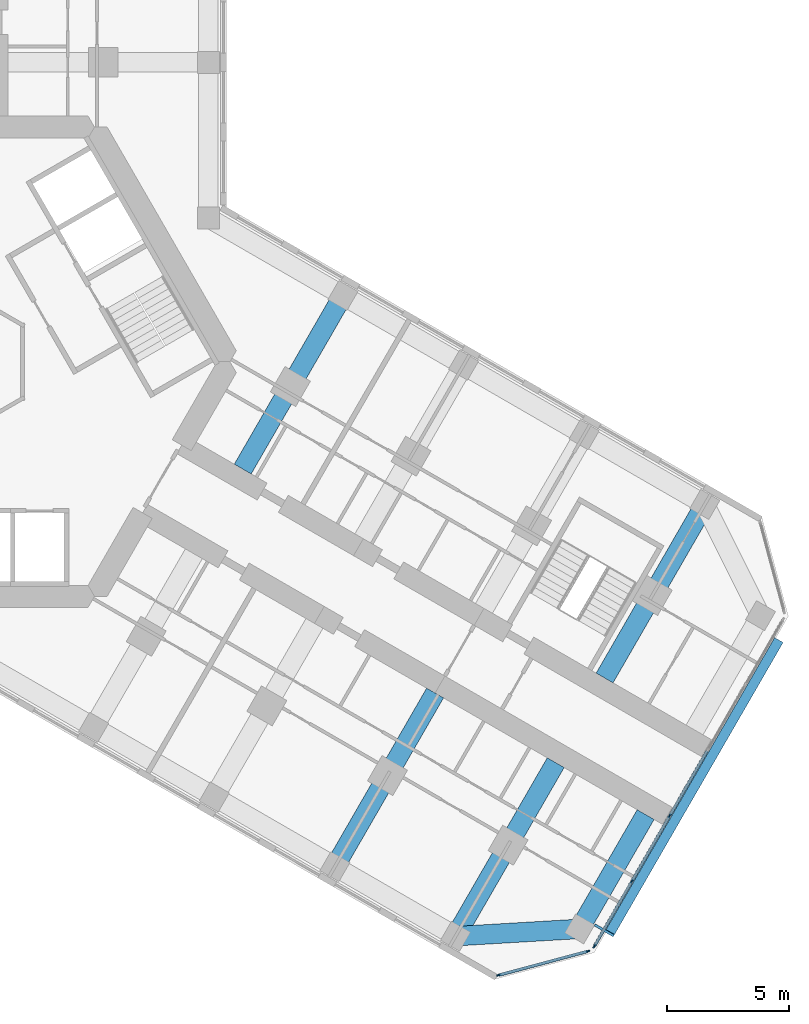
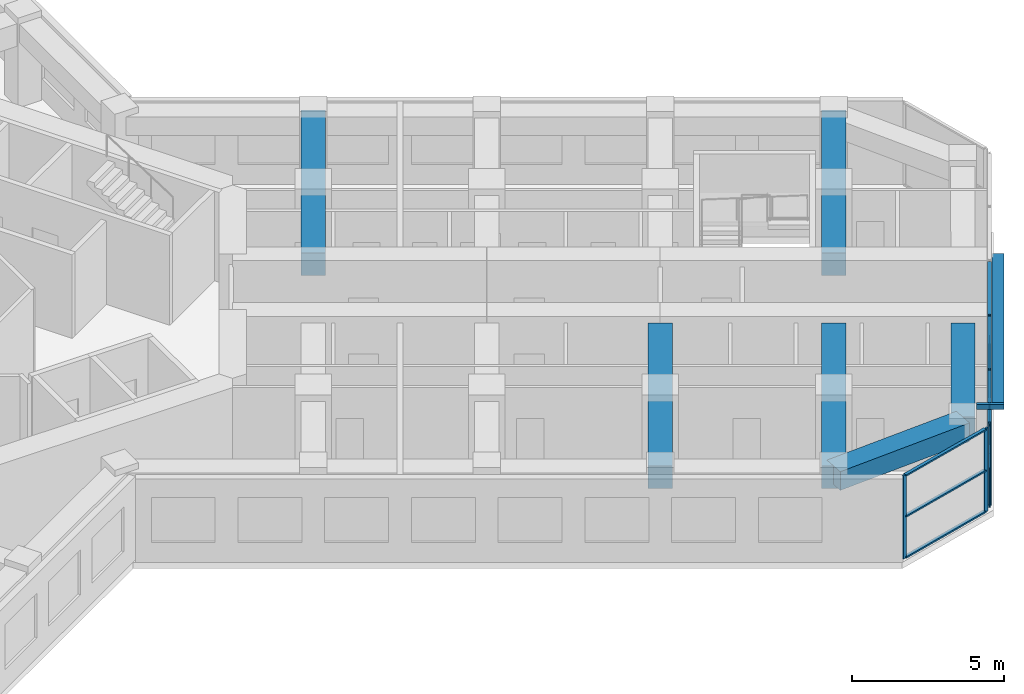
# One storey, part 5 of 19: 16 members, 6 beams, 2 elements without a shape of their own.
"""IFC4 building model written with IfcOpenShell, lengths in metres."""

import ifcopenshell
import ifcopenshell.guid

model = None  # the IFC model being written
_history = None  # IfcOwnerHistory: only IFC2X3 demands one
_inside = {}  # id of a spatial element -> (the spatial element, [elements in it])
_under = {}  # id of a project, library or spatial element -> (it, [spatial elements below it])
_declared = {}  # id of a project -> (the project, [libraries it declares])
_typed = {}  # id of a type object -> (the type object, [elements of that type])
_made_of = {}  # id of a material, layer set ... -> (it, [elements and type objects made of it])


def new_model(schema):
    """Start an empty IFC model of exactly this schema.

    Asked for "IFC4X3", IfcOpenShell would pick the latest addendum, in which some entities
    have other attributes; the version numbers below select the first issue.
    IFC2X3 requires an IfcOwnerHistory on every rooted entity: one is made here for all.
    """
    global model, _history
    if schema == "IFC4X3":
        model = ifcopenshell.file(schema_version=(4, 3, 0, 0))
    else:
        model = ifcopenshell.file(schema=schema)
    _inside.clear()
    _under.clear()
    _declared.clear()
    _typed.clear()
    _made_of.clear()
    _history = None
    if model.schema == "IFC2X3":
        org = make("IfcOrganization", Name="unknown")
        user = make(
            "IfcPersonAndOrganization",
            ThePerson=make("IfcPerson", FamilyName="unknown"),
            TheOrganization=org,
        )
        app = make(
            "IfcApplication",
            ApplicationDeveloper=org,
            Version="unknown",
            ApplicationFullName="unknown",
            ApplicationIdentifier="unknown",
        )
        _history = make(
            "IfcOwnerHistory",
            OwningUser=user,
            OwningApplication=app,
            ChangeAction="ADDED",
            CreationDate=0,
        )
    return model


def make(cls, **values):
    """One entity of the class cls with the attributes given. An attribute that is None is left unset."""
    return model.create_entity(
        cls, **{name: value for name, value in values.items() if value is not None}
    )


def rooted(cls, **values):
    """An entity with a GlobalId (a new one), such as an element, a storey or a relation."""
    return make(cls, GlobalId=ifcopenshell.guid.new(), OwnerHistory=_history, **values)


def si_unit(unit_type, name, prefix=None):
    """IfcSIUnit, for example si_unit("LENGTHUNIT", "METRE", prefix="MILLI")."""
    return make("IfcSIUnit", UnitType=unit_type, Prefix=prefix, Name=name)


def assignment(units):
    """IfcUnitAssignment: the units of a project."""
    return None if units is None else make("IfcUnitAssignment", Units=units)


def point(xyz):
    """IfcCartesianPoint."""
    return None if xyz is None else make("IfcCartesianPoint", Coordinates=xyz)


def direction(xyz):
    """IfcDirection."""
    return None if xyz is None else make("IfcDirection", DirectionRatios=xyz)


def frame(location, z_axis=None, x_axis=None):
    """IfcAxis2Placement3D, a coordinate frame: its origin and axes. An axis left out is left unset."""
    return make(
        "IfcAxis2Placement3D",
        Location=point(location),
        Axis=direction(z_axis),
        RefDirection=direction(x_axis),
    )


def frame_2d(location, x_axis=None):
    """IfcAxis2Placement2D, a coordinate frame in the plane: its origin and x axis."""
    return make(
        "IfcAxis2Placement2D", Location=point(location), RefDirection=direction(x_axis)
    )


def origin():
    """The frame at (0, 0, 0) with its axes left unset."""
    return frame((0.0, 0.0, 0.0))


def origin_2d():
    """The frame at (0, 0) in the plane with its x axis left unset."""
    return frame_2d((0.0, 0.0))


def place(relative_to, where):
    """IfcLocalPlacement: puts the frame where relative to a parent placement (None: the world)."""
    return make(
        "IfcLocalPlacement", PlacementRelTo=relative_to, RelativePlacement=where
    )


def context(
    kind, dimensions, precision=None, world=None, true_north=None, identifier=None
):
    """IfcGeometricRepresentationContext, for example the 3D "Model" context."""
    return make(
        "IfcGeometricRepresentationContext",
        ContextIdentifier=identifier,
        ContextType=kind,
        CoordinateSpaceDimension=dimensions,
        Precision=precision,
        WorldCoordinateSystem=world,
        TrueNorth=true_north,
    )


def subcontext(parent, identifier, kind, view, scale=None):
    """IfcGeometricRepresentationSubContext, for example "Body" below "Model"."""
    return make(
        "IfcGeometricRepresentationSubContext",
        ContextIdentifier=identifier,
        ContextType=kind,
        ParentContext=parent,
        TargetScale=scale,
        TargetView=view,
    )


def project(units=None, contexts=None):
    """IfcProject with its units and contexts."""
    return rooted(
        "IfcProject",
        Name="project",
        RepresentationContexts=contexts,
        UnitsInContext=assignment(units),
    )


def spatial(cls, under=None, at=None, **own):
    """A site, building, storey or space (cls), placed at a placement, below another one or the project."""
    s = rooted(cls, ObjectPlacement=at, **own)
    if under is not None:
        _under.setdefault(under.id(), (under, []))[1].append(s)
    return s


def profile(cls, at=None, kind="AREA", **sizes):
    """A parametric profile (cls). Its sizes go by their IFC names, for example OverallWidth=200.0."""
    return make(cls, ProfileType=kind, Position=at, **sizes)


def rectangle(**sizes):
    """IfcRectangleProfileDef."""
    return profile("IfcRectangleProfileDef", **sizes)


def hollow_rectangle(**sizes):
    """IfcRectangleHollowProfileDef."""
    return profile("IfcRectangleHollowProfileDef", **sizes)


def extrude(swept, where, along, depth):
    """IfcExtrudedAreaSolid: the profile swept, set in the frame where, extruded along a direction by depth."""
    return make(
        "IfcExtrudedAreaSolid",
        SweptArea=swept,
        Position=where,
        ExtrudedDirection=direction(along),
        Depth=depth,
    )


def shape(context_of_items, identifier, shape_type, items):
    """IfcShapeRepresentation: the items that make up one representation, for example the "Body"."""
    return make(
        "IfcShapeRepresentation",
        ContextOfItems=context_of_items,
        RepresentationIdentifier=identifier,
        RepresentationType=shape_type,
        Items=items,
    )


def material(Name=None, Category=None):
    """IfcMaterial."""
    return make("IfcMaterial", Name=Name, Category=Category)


def material_profile(
    of_material, cross_section, Name=None, Category=None, Priority=None
):
    """IfcMaterialProfile: a cross section and its material."""
    return make(
        "IfcMaterialProfile",
        Name=Name,
        Material=of_material,
        Profile=cross_section,
        Priority=Priority,
        Category=Category,
    )


def profile_set(profiles, Name=None, composite=None):
    """IfcMaterialProfileSet."""
    return make(
        "IfcMaterialProfileSet",
        Name=Name,
        MaterialProfiles=profiles,
        CompositeProfile=composite,
    )


def made_of(thing, what):
    """Note that an element or type object is made of a material, layer set ...; save() writes the relation."""
    if what is not None:
        _made_of.setdefault(what.id(), (what, []))[1].append(thing)
    return thing


def type_object(cls, material=None, **own):
    """A type object (cls), such as IfcWallType, which elements share."""
    return made_of(rooted(cls, **own), material)


def element(
    cls,
    number,
    at=None,
    inside=None,
    cuts=None,
    type_object=None,
    material=None,
    context=None,
    identifier="Body",
    shape_type=None,
    held_by="IfcProductDefinitionShape",
    body=None,
    shapes=None,
    **own,
):
    """One element of the class cls, such as IfcWall. Its Tag is "e" and its number.

    at: its placement. inside: the storey or other place that contains it. cuts: it is an
    opening in that element (IfcRelVoidsElement). A single representation is given by context,
    identifier, shape_type and body (its items); several are given by shapes. held_by: the class
    of the entity that holds the representations. save() writes the other relations.
    """
    e = rooted(cls, Tag="e%d" % number, ObjectPlacement=at, **own)
    if body is not None:
        shapes = [shape(context, identifier, shape_type, body)]
    if shapes is not None:
        e.Representation = make(held_by, Representations=shapes)
    if inside is not None:
        _inside.setdefault(inside.id(), (inside, []))[1].append(e)
    if cuts is not None:
        rooted(
            "IfcRelVoidsElement", RelatingBuildingElement=cuts, RelatedOpeningElement=e
        )
    if type_object is not None:
        _typed.setdefault(type_object.id(), (type_object, []))[1].append(e)
    return made_of(e, material)


def aggregate(whole, parts):
    """IfcRelAggregates: a whole, such as a stair, and the parts it consists of."""
    return rooted("IfcRelAggregates", RelatingObject=whole, RelatedObjects=parts)


def save(model, path):
    """Write the relations noted so far, then the file.

    IfcRelAggregates (storeys below a building ...), IfcRelContainedInSpatialStructure (elements
    in a storey), IfcRelDefinesByType, IfcRelAssociatesMaterial and IfcRelDeclares: one each for
    every whole, place, type object, material and project.
    """
    for whole, parts in _under.values():
        aggregate(whole, parts)
    for where, things in _inside.values():
        rooted(
            "IfcRelContainedInSpatialStructure",
            RelatedElements=things,
            RelatingStructure=where,
        )
    for kind, things in _typed.values():
        rooted("IfcRelDefinesByType", RelatedObjects=things, RelatingType=kind)
    for what, things in _made_of.values():
        rooted("IfcRelAssociatesMaterial", RelatedObjects=things, RelatingMaterial=what)
    for by, libraries in _declared.values():
        rooted("IfcRelDeclares", RelatingContext=by, RelatedDefinitions=libraries)
    model.write(path)


model = new_model("IFC4")

# Units and contexts
model_context = context("Model", 3, precision=1e-05, world=origin(), true_north=direction((0.0, 1.0)))
body_context = subcontext(model_context, "Body", "Model", "MODEL_VIEW")
ifc_project = project(units=[si_unit("LENGTHUNIT", "METRE"), si_unit("AREAUNIT", "SQUARE_METRE"), si_unit("VOLUMEUNIT", "CUBIC_METRE"), si_unit("PLANEANGLEUNIT", "RADIAN"), si_unit("MASSUNIT", "GRAM", prefix="KILO")], contexts=[model_context])

# Site, building, storey
site_placement = place(None, origin())
site = spatial("IfcSite", under=ifc_project, at=site_placement, CompositionType="ELEMENT")
building_placement = place(site_placement, origin())
building = spatial("IfcBuilding", under=site, at=building_placement, Name="Kosmar Iwan School Tower", CompositionType="ELEMENT")
storey_placement = place(building_placement, frame((0.0, 0.0, 141.800048828125)))
storey = spatial("IfcBuildingStorey", under=building, at=storey_placement, Name="L35", CompositionType="ELEMENT", Elevation=141.800048828125)

# Members
ifc_material_1 = material(Name="Black anodised aluminium", Category="aluminium")
ifc_material_profile_1 = material_profile(ifc_material_1, rectangle(XDim=0.10009765625, YDim=0.39990234375, at=origin_2d()), Name="FIN 100x400")
ifc_profile_set_1 = profile_set([ifc_material_profile_1], Name="Black anodised aluminium")
member_type_1 = type_object("IfcMemberType", Name="Diagonal fin 100x400", PredefinedType="USERDEFINED", material=ifc_profile_set_1)
member_1_placement = place(storey_placement, frame((33.54345703125, -11.40087890625, -0.150146484375), z_axis=(-0.483793446988, -0.837970316603, 0.25248692866), x_axis=(0.126241714543, 0.218661104574, 0.96760030532)))
element("IfcMember", 1, at=member_1_placement, inside=storey, type_object=member_type_1, Name="Diagonal fin L35-F03", ObjectType="FIN", PredefinedType="USERDEFINED", context=body_context, shape_type="SweptSolid", body=[
    extrude(rectangle(XDim=0.10009765625, YDim=0.39990234375, at=origin_2d()), origin(), (0.0, 0.0, 1.0), 14.258544921875),
])
ifc_material_2 = material(Name="Steel S355", Category="steel")
ifc_material_profile_2 = material_profile(ifc_material_2, hollow_rectangle(XDim=0.10009765625, YDim=0.199951171875, WallThickness=0.008056640625, at=origin_2d()), Name="RHS 200x100x8")
ifc_profile_set_2 = profile_set([ifc_material_profile_2], Name="Steel S355")
member_type_2 = type_object("IfcMemberType", Name="Fin bracket RHS 200x100", PredefinedType="USERDEFINED", material=ifc_profile_set_2)
member_2_placement = place(storey_placement, frame((26.01318359375, -23.0439453125, 3.474853515625), z_axis=(0.866013897511, -0.50001992892, 0.0), x_axis=(0.50001992892, 0.866013897511, 0.0)))
element("IfcMember", 2, at=member_2_placement, inside=storey, type_object=member_type_2, Name="Fin bracket L36", ObjectType="FIN BRACKET", PredefinedType="USERDEFINED", context=body_context, shape_type="SweptSolid", body=[
    extrude(hollow_rectangle(XDim=0.10009765625, YDim=0.199951171875, WallThickness=0.008056640625, at=origin_2d()), origin(), (0.0, 0.0, 1.0), 0.89990234375),
])

# Curtain wall, members
ifc_material_3 = material(Name="Dark glass in black aluminium frame", Category="aluminium")
curtain_wall_type_1 = type_object("IfcCurtainWallType", Name="Chamfer curtain wall dark glass", PredefinedType="USERDEFINED", material=ifc_material_3)
curtain_wall_1_placement = place(storey_placement, origin())
curtain_wall_1 = element("IfcCurtainWall", 3, at=curtain_wall_1_placement, inside=storey, type_object=curtain_wall_type_1, Name="Curtain wall L35-F02", ObjectType="FACETED CURTAIN WALL", PredefinedType="USERDEFINED")
ifc_material_4 = material(Name="Black anodised aluminium", Category="aluminium")
ifc_material_profile_3 = material_profile(ifc_material_4, rectangle(XDim=0.06005859375, YDim=0.159912109375, at=origin_2d()), Name="MULLION 60x160")
ifc_profile_set_3 = profile_set([ifc_material_profile_3], Name="Black anodised aluminium")
member_type_3 = type_object("IfcMemberType", Name="Mullion 60x160", PredefinedType="MULLION", material=ifc_profile_set_3)
member_3_placement = place(storey_placement, frame((22.0830078125, -25.102294921875, 0.0), z_axis=(0.0, 0.0, 1.0), x_axis=(-0.258818861462, 0.965925875495, 0.0)))
member_3 = element("IfcMember", 4, at=member_3_placement, type_object=member_type_3, Name="CW2 mullion 1", PredefinedType="MULLION", context=body_context, shape_type="SweptSolid", body=[
    extrude(rectangle(XDim=0.06005859375, YDim=0.159912109375, at=origin_2d()), origin(), (0.0, 0.0, 1.0), 3.349853515625),
])
member_4_placement = place(storey_placement, frame((25.733154296875, -24.124267578125, 0.0), z_axis=(0.0, 0.0, 1.0), x_axis=(-0.258818861462, 0.965925875495, 0.0)))
member_4 = element("IfcMember", 5, at=member_4_placement, type_object=member_type_3, Name="CW2 mullion 2", PredefinedType="MULLION", context=body_context, shape_type="SweptSolid", body=[
    extrude(rectangle(XDim=0.06005859375, YDim=0.159912109375, at=origin_2d()), origin(), (0.0, 0.0, 1.0), 3.349853515625),
])

ifc_material_5 = material(Name="Dark glass in black aluminium frame", Category="aluminium")
curtain_wall_type_2 = type_object("IfcCurtainWallType", Name="Tower curtain wall dark glass", PredefinedType="USERDEFINED", material=ifc_material_5)
curtain_wall_2_placement = place(storey_placement, origin())
curtain_wall_2 = element("IfcCurtainWall", 6, at=curtain_wall_2_placement, inside=storey, type_object=curtain_wall_type_2, Name="Curtain wall L35-F03", ObjectType="UNITISED CURTAIN WALL", PredefinedType="USERDEFINED")
member_5_placement = place(storey_placement, frame((25.9970703125, -23.921630859375, 0.0), z_axis=(0.0, 0.0, 1.0), x_axis=(-0.866025405329, 0.499999997325, 0.0)))
member_5 = element("IfcMember", 7, at=member_5_placement, type_object=member_type_3, Name="CW1 mullion 1", PredefinedType="MULLION", context=body_context, shape_type="SweptSolid", body=[
    extrude(rectangle(XDim=0.06005859375, YDim=0.159912109375, at=origin_2d()), origin(), (0.0, 0.0, 1.0), 3.349853515625),
])
member_6_placement = place(storey_placement, frame((27.53173828125, -21.263671875, 0.0), z_axis=(0.0, 0.0, 1.0), x_axis=(-0.866025405329, 0.499999997325, 0.0)))
member_6 = element("IfcMember", 8, at=member_6_placement, type_object=member_type_3, Name="CW1 mullion 2", PredefinedType="MULLION", context=body_context, shape_type="SweptSolid", body=[
    extrude(rectangle(XDim=0.06005859375, YDim=0.159912109375, at=origin_2d()), origin(), (0.0, 0.0, 1.0), 3.349853515625),
])
member_7_placement = place(storey_placement, frame((29.081298828125, -18.57958984375, 0.0), z_axis=(0.0, 0.0, 1.0), x_axis=(-0.866025405329, 0.499999997325, 0.0)))
member_7 = element("IfcMember", 9, at=member_7_placement, type_object=member_type_3, Name="CW1 mullion 3", PredefinedType="MULLION", context=body_context, shape_type="SweptSolid", body=[
    extrude(rectangle(XDim=0.06005859375, YDim=0.159912109375, at=origin_2d()), origin(), (0.0, 0.0, 1.0), 3.349853515625),
])

# Beams
ifc_material_6 = material(Name="Concrete C50/60", Category="concrete")
ifc_material_profile_4 = material_profile(ifc_material_6, rectangle(XDim=0.800048828125, YDim=0.75, at=origin_2d()), Name="RC 800x750")
ifc_profile_set_4 = profile_set([ifc_material_profile_4], Name="Concrete C50/60")
beam_type_1 = type_object("IfcBeamType", Name="RC tip beam 800x750", PredefinedType="BEAM", material=ifc_profile_set_4)
beam_1_placement = place(storey_placement, frame((20.31787109375, -23.508544921875, 2.974853515625), z_axis=(0.998260616478, 0.058955420358, 0.0), x_axis=(-0.058955420358, 0.998260616478, 0.0)))
element("IfcBeam", 10, at=beam_1_placement, inside=storey, type_object=beam_type_1, Name="Tip beam CR", PredefinedType="BEAM", context=body_context, shape_type="SweptSolid", body=[
    extrude(rectangle(XDim=0.800048828125, YDim=0.75, at=origin_2d()), origin(), (0.0, 0.0, 1.0), 5.08935546875),
])
beam_2_placement = place(storey_placement, frame((25.3984375, -23.20849609375, 2.974853515625), z_axis=(0.499995103361, 0.866028230842, 0.0), x_axis=(-0.866028230842, 0.499995103361, 0.0)))
element("IfcBeam", 11, at=beam_2_placement, inside=storey, type_object=beam_type_1, Name="Tip beam CR to corridor wall", PredefinedType="BEAM", context=body_context, shape_type="SweptSolid", body=[
    extrude(rectangle(XDim=0.800048828125, YDim=0.75, at=origin_2d()), origin(), (0.0, 0.0, 1.0), 5.39990234375),
])
ifc_material_7 = material(Name="Concrete C50/60", Category="concrete")
ifc_material_profile_5 = material_profile(ifc_material_7, rectangle(XDim=0.800048828125, YDim=0.89990234375, at=origin_2d()), Name="RC 800x900")
ifc_profile_set_5 = profile_set([ifc_material_profile_5], Name="Concrete C50/60")
beam_type_2 = type_object("IfcBeamType", Name="RC transverse beam 800x900", PredefinedType="BEAM", material=ifc_profile_set_5)
for number, where, z_axis, x_axis, name in (
    (12, (15.708740234375, 2.70849609375, 2.89990234375), (-0.499978459874, -0.866037839625, 0.0), (0.866037839625, -0.499978459874, 0.0), "Transverse beam CL1"),
    (13, (30.517822265625, -5.841552734375, 2.89990234375), (-0.500013681986, -0.866017504342, 0.0), (0.866017504342, -0.500013681986, 0.0), "Transverse beam CL4"),
    (14, (15.381591796875, -20.658447265625, 2.89990234375), (0.49999135188, 0.866030396721, 0.0), (-0.866030396721, 0.49999135188, 0.0), "Transverse beam CR3"),
    (15, (20.31787109375, -23.508544921875, 2.89990234375), (0.499978459874, 0.866037839625, 0.0), (-0.866037839625, 0.499978459874, 0.0), "Transverse beam CR4"),
):
    element("IfcBeam", number, at=place(storey_placement, frame(where, z_axis=z_axis, x_axis=x_axis)), inside=storey, type_object=beam_type_2, Name=name, PredefinedType="BEAM", context=body_context, shape_type="SweptSolid", body=[
        extrude(rectangle(XDim=0.800048828125, YDim=0.89990234375, at=origin_2d()), origin(), (0.0, 0.0, 1.0), 8.199951171875),
    ])

# Member
ifc_material_8 = material(Name="Black anodised aluminium", Category="aluminium")
ifc_material_profile_6 = material_profile(ifc_material_8, rectangle(XDim=0.1201171875, YDim=0.06005859375, at=origin_2d()), Name="TRANSOM 60x120")
ifc_profile_set_6 = profile_set([ifc_material_profile_6], Name="Black anodised aluminium")
member_type_4 = type_object("IfcMemberType", Name="Transom 60x120", PredefinedType="USERDEFINED", material=ifc_profile_set_6)
member_8_placement = place(storey_placement, frame((22.11181640625, -25.094482421875, 0.030029296875), z_axis=(0.965923731726, 0.258826861991, 0.0), x_axis=(-0.258826861991, 0.965923731726, 0.0)))
member_8 = element("IfcMember", 16, at=member_8_placement, type_object=member_type_4, Name="CW2 transom 1.1", ObjectType="TRANSOM", PredefinedType="USERDEFINED", context=body_context, shape_type="SweptSolid", body=[
    extrude(rectangle(XDim=0.1201171875, YDim=0.06005859375, at=origin_2d()), origin(), (0.0, 0.0, 1.0), 3.71923828125),
])

member_9_placement = place(storey_placement, frame((22.11181640625, -25.094482421875, 1.675048828125), z_axis=(0.965923731726, 0.258826861991, 0.0), x_axis=(-0.258826861991, 0.965923731726, 0.0)))
member_9 = element("IfcMember", 17, at=member_9_placement, type_object=member_type_4, Name="CW2 transom 1.2", ObjectType="TRANSOM", PredefinedType="USERDEFINED", context=body_context, shape_type="SweptSolid", body=[
    extrude(rectangle(XDim=0.1201171875, YDim=0.06005859375, at=origin_2d()), origin(), (0.0, 0.0, 1.0), 3.71923828125),
])

member_10_placement = place(storey_placement, frame((22.11181640625, -25.094482421875, 3.320068359375), z_axis=(0.965923731726, 0.258826861991, 0.0), x_axis=(-0.258826861991, 0.965923731726, 0.0)))
member_10 = element("IfcMember", 18, at=member_10_placement, type_object=member_type_4, Name="CW2 transom 1.3", ObjectType="TRANSOM", PredefinedType="USERDEFINED", context=body_context, shape_type="SweptSolid", body=[
    extrude(rectangle(XDim=0.1201171875, YDim=0.06005859375, at=origin_2d()), origin(), (0.0, 0.0, 1.0), 3.71923828125),
])

aggregate(curtain_wall_1, [member_3, member_4, member_8, member_9, member_10])

member_11_placement = place(storey_placement, frame((26.01220703125, -23.895751953125, 0.030029296875), z_axis=(0.499986971506, 0.866032925658, 0.0), x_axis=(-0.866032925658, 0.499986971506, 0.0)))
member_11 = element("IfcMember", 19, at=member_11_placement, type_object=member_type_4, Name="CW1 transom 1.1", ObjectType="TRANSOM", PredefinedType="USERDEFINED", context=body_context, shape_type="SweptSolid", body=[
    extrude(rectangle(XDim=0.1201171875, YDim=0.06005859375, at=origin_2d()), origin(), (0.0, 0.0, 1.0), 3.00927734375),
])

member_12_placement = place(storey_placement, frame((26.01220703125, -23.895751953125, 3.320068359375), z_axis=(0.499986971506, 0.866032925658, 0.0), x_axis=(-0.866032925658, 0.499986971506, 0.0)))
member_12 = element("IfcMember", 20, at=member_12_placement, type_object=member_type_4, Name="CW1 transom 1.2", ObjectType="TRANSOM", PredefinedType="USERDEFINED", context=body_context, shape_type="SweptSolid", body=[
    extrude(rectangle(XDim=0.1201171875, YDim=0.06005859375, at=origin_2d()), origin(), (0.0, 0.0, 1.0), 3.00927734375),
])

member_13_placement = place(storey_placement, frame((27.546875, -21.237548828125, 0.030029296875), z_axis=(0.499975102327, 0.866039777986, 0.0), x_axis=(-0.866039777986, 0.499975102327, 0.0)))
member_13 = element("IfcMember", 21, at=member_13_placement, type_object=member_type_4, Name="CW1 transom 2.1", ObjectType="TRANSOM", PredefinedType="USERDEFINED", context=body_context, shape_type="SweptSolid", body=[
    extrude(rectangle(XDim=0.1201171875, YDim=0.06005859375, at=origin_2d()), origin(), (0.0, 0.0, 1.0), 3.039306640625),
])

member_14_placement = place(storey_placement, frame((27.546875, -21.237548828125, 3.320068359375), z_axis=(0.499975102327, 0.866039777986, 0.0), x_axis=(-0.866039777986, 0.499975102327, 0.0)))
member_14 = element("IfcMember", 22, at=member_14_placement, type_object=member_type_4, Name="CW1 transom 2.2", ObjectType="TRANSOM", PredefinedType="USERDEFINED", context=body_context, shape_type="SweptSolid", body=[
    extrude(rectangle(XDim=0.1201171875, YDim=0.06005859375, at=origin_2d()), origin(), (0.0, 0.0, 1.0), 3.039306640625),
])

member_15_placement = place(storey_placement, frame((29.096435546875, -18.553466796875, 0.030029296875), z_axis=(0.499975102327, 0.866039777986, 0.0), x_axis=(-0.866039777986, 0.499975102327, 0.0)))
member_15 = element("IfcMember", 23, at=member_15_placement, type_object=member_type_4, Name="CW1 transom 3.1", ObjectType="TRANSOM", PredefinedType="USERDEFINED", context=body_context, shape_type="SweptSolid", body=[
    extrude(rectangle(XDim=0.1201171875, YDim=0.06005859375, at=origin_2d()), origin(), (0.0, 0.0, 1.0), 3.039306640625),
])

member_16_placement = place(storey_placement, frame((29.096435546875, -18.553466796875, 3.320068359375), z_axis=(0.499975102327, 0.866039777986, 0.0), x_axis=(-0.866039777986, 0.499975102327, 0.0)))
member_16 = element("IfcMember", 24, at=member_16_placement, type_object=member_type_4, Name="CW1 transom 3.2", ObjectType="TRANSOM", PredefinedType="USERDEFINED", context=body_context, shape_type="SweptSolid", body=[
    extrude(rectangle(XDim=0.1201171875, YDim=0.06005859375, at=origin_2d()), origin(), (0.0, 0.0, 1.0), 3.039306640625),
])

aggregate(curtain_wall_2, [member_5, member_6, member_7, member_11, member_12, member_13, member_14, member_15, member_16])

save(model, "model.ifc")
